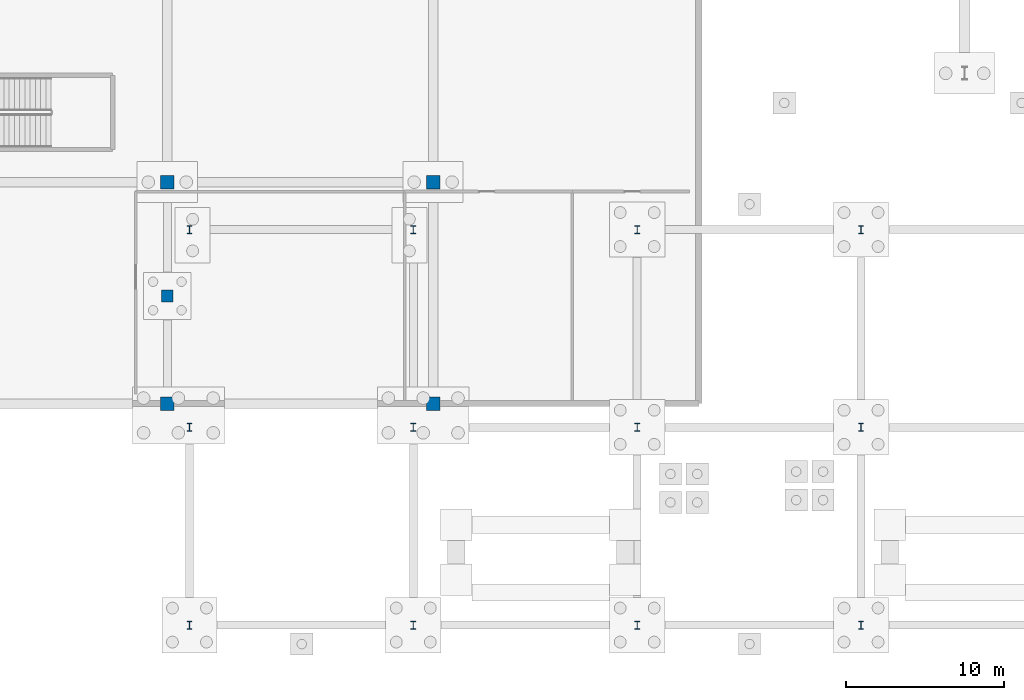
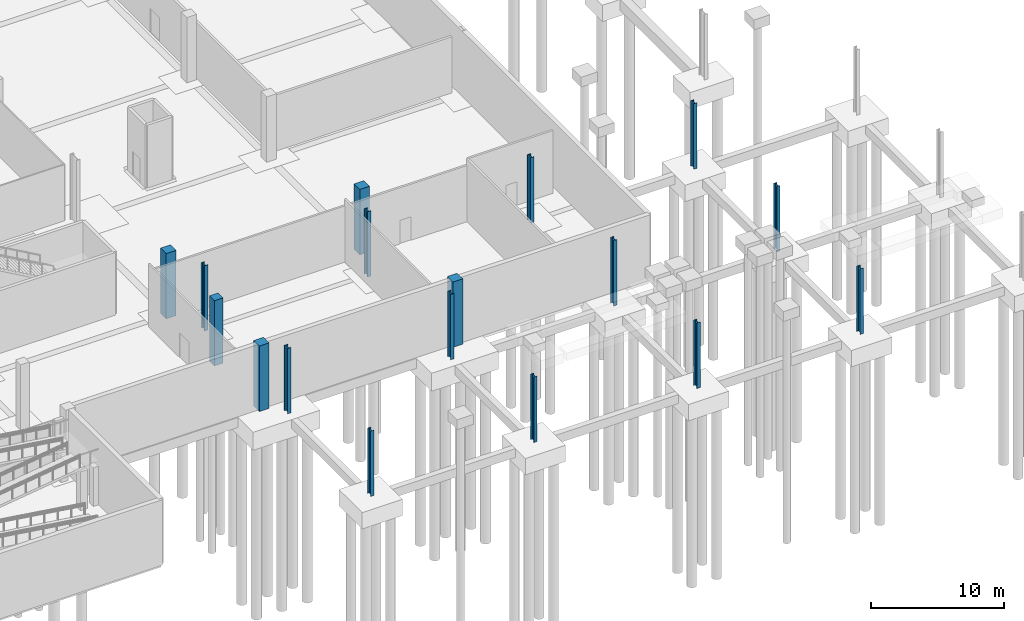
# One storey, part 15 of 46: 17 columns.
"""IFC4 building model written with IfcOpenShell, lengths in metres."""

import ifcopenshell
import ifcopenshell.guid

model = None  # the IFC model being written
_history = None  # IfcOwnerHistory: only IFC2X3 demands one
_inside = {}  # id of a spatial element -> (the spatial element, [elements in it])
_under = {}  # id of a project, library or spatial element -> (it, [spatial elements below it])
_declared = {}  # id of a project -> (the project, [libraries it declares])
_typed = {}  # id of a type object -> (the type object, [elements of that type])
_made_of = {}  # id of a material, layer set ... -> (it, [elements and type objects made of it])


def new_model(schema):
    """Start an empty IFC model of exactly this schema.

    Asked for "IFC4X3", IfcOpenShell would pick the latest addendum, in which some entities
    have other attributes; the version numbers below select the first issue.
    IFC2X3 requires an IfcOwnerHistory on every rooted entity: one is made here for all.
    """
    global model, _history
    if schema == "IFC4X3":
        model = ifcopenshell.file(schema_version=(4, 3, 0, 0))
    else:
        model = ifcopenshell.file(schema=schema)
    _inside.clear()
    _under.clear()
    _declared.clear()
    _typed.clear()
    _made_of.clear()
    _history = None
    if model.schema == "IFC2X3":
        org = make("IfcOrganization", Name="unknown")
        user = make(
            "IfcPersonAndOrganization",
            ThePerson=make("IfcPerson", FamilyName="unknown"),
            TheOrganization=org,
        )
        app = make(
            "IfcApplication",
            ApplicationDeveloper=org,
            Version="unknown",
            ApplicationFullName="unknown",
            ApplicationIdentifier="unknown",
        )
        _history = make(
            "IfcOwnerHistory",
            OwningUser=user,
            OwningApplication=app,
            ChangeAction="ADDED",
            CreationDate=0,
        )
    return model


def make(cls, **values):
    """One entity of the class cls with the attributes given. An attribute that is None is left unset."""
    return model.create_entity(
        cls, **{name: value for name, value in values.items() if value is not None}
    )


def rooted(cls, **values):
    """An entity with a GlobalId (a new one), such as an element, a storey or a relation."""
    return make(cls, GlobalId=ifcopenshell.guid.new(), OwnerHistory=_history, **values)


def si_unit(unit_type, name, prefix=None):
    """IfcSIUnit, for example si_unit("LENGTHUNIT", "METRE", prefix="MILLI")."""
    return make("IfcSIUnit", UnitType=unit_type, Prefix=prefix, Name=name)


def assignment(units):
    """IfcUnitAssignment: the units of a project."""
    return None if units is None else make("IfcUnitAssignment", Units=units)


def point(xyz):
    """IfcCartesianPoint."""
    return None if xyz is None else make("IfcCartesianPoint", Coordinates=xyz)


def direction(xyz):
    """IfcDirection."""
    return None if xyz is None else make("IfcDirection", DirectionRatios=xyz)


def frame(location, z_axis=None, x_axis=None):
    """IfcAxis2Placement3D, a coordinate frame: its origin and axes. An axis left out is left unset."""
    return make(
        "IfcAxis2Placement3D",
        Location=point(location),
        Axis=direction(z_axis),
        RefDirection=direction(x_axis),
    )


def frame_2d(location, x_axis=None):
    """IfcAxis2Placement2D, a coordinate frame in the plane: its origin and x axis."""
    return make(
        "IfcAxis2Placement2D", Location=point(location), RefDirection=direction(x_axis)
    )


def origin():
    """The frame at (0, 0, 0) with its axes left unset."""
    return frame((0.0, 0.0, 0.0))


def origin_2d():
    """The frame at (0, 0) in the plane with its x axis left unset."""
    return frame_2d((0.0, 0.0))


def place(relative_to, where):
    """IfcLocalPlacement: puts the frame where relative to a parent placement (None: the world)."""
    return make(
        "IfcLocalPlacement", PlacementRelTo=relative_to, RelativePlacement=where
    )


def context(
    kind, dimensions, precision=None, world=None, true_north=None, identifier=None
):
    """IfcGeometricRepresentationContext, for example the 3D "Model" context."""
    return make(
        "IfcGeometricRepresentationContext",
        ContextIdentifier=identifier,
        ContextType=kind,
        CoordinateSpaceDimension=dimensions,
        Precision=precision,
        WorldCoordinateSystem=world,
        TrueNorth=true_north,
    )


def subcontext(parent, identifier, kind, view, scale=None):
    """IfcGeometricRepresentationSubContext, for example "Body" below "Model"."""
    return make(
        "IfcGeometricRepresentationSubContext",
        ContextIdentifier=identifier,
        ContextType=kind,
        ParentContext=parent,
        TargetScale=scale,
        TargetView=view,
    )


def project(units=None, contexts=None):
    """IfcProject with its units and contexts."""
    return rooted(
        "IfcProject",
        Name="project",
        RepresentationContexts=contexts,
        UnitsInContext=assignment(units),
    )


def spatial(cls, under=None, at=None, **own):
    """A site, building, storey or space (cls), placed at a placement, below another one or the project."""
    s = rooted(cls, ObjectPlacement=at, **own)
    if under is not None:
        _under.setdefault(under.id(), (under, []))[1].append(s)
    return s


def profile(cls, at=None, kind="AREA", **sizes):
    """A parametric profile (cls). Its sizes go by their IFC names, for example OverallWidth=200.0."""
    return make(cls, ProfileType=kind, Position=at, **sizes)


def rectangle(**sizes):
    """IfcRectangleProfileDef."""
    return profile("IfcRectangleProfileDef", **sizes)


def i_section(**sizes):
    """IfcIShapeProfileDef."""
    return profile("IfcIShapeProfileDef", **sizes)


def extrude(swept, where, along, depth):
    """IfcExtrudedAreaSolid: the profile swept, set in the frame where, extruded along a direction by depth."""
    return make(
        "IfcExtrudedAreaSolid",
        SweptArea=swept,
        Position=where,
        ExtrudedDirection=direction(along),
        Depth=depth,
    )


def shape(context_of_items, identifier, shape_type, items):
    """IfcShapeRepresentation: the items that make up one representation, for example the "Body"."""
    return make(
        "IfcShapeRepresentation",
        ContextOfItems=context_of_items,
        RepresentationIdentifier=identifier,
        RepresentationType=shape_type,
        Items=items,
    )


def material(Name=None, Category=None):
    """IfcMaterial."""
    return make("IfcMaterial", Name=Name, Category=Category)


def material_profile(
    of_material, cross_section, Name=None, Category=None, Priority=None
):
    """IfcMaterialProfile: a cross section and its material."""
    return make(
        "IfcMaterialProfile",
        Name=Name,
        Material=of_material,
        Profile=cross_section,
        Priority=Priority,
        Category=Category,
    )


def profile_set(profiles, Name=None, composite=None):
    """IfcMaterialProfileSet."""
    return make(
        "IfcMaterialProfileSet",
        Name=Name,
        MaterialProfiles=profiles,
        CompositeProfile=composite,
    )


def made_of(thing, what):
    """Note that an element or type object is made of a material, layer set ...; save() writes the relation."""
    if what is not None:
        _made_of.setdefault(what.id(), (what, []))[1].append(thing)
    return thing


def type_object(cls, material=None, **own):
    """A type object (cls), such as IfcWallType, which elements share."""
    return made_of(rooted(cls, **own), material)


def element(
    cls,
    number,
    at=None,
    inside=None,
    cuts=None,
    type_object=None,
    material=None,
    context=None,
    identifier="Body",
    shape_type=None,
    held_by="IfcProductDefinitionShape",
    body=None,
    shapes=None,
    **own,
):
    """One element of the class cls, such as IfcWall. Its Tag is "e" and its number.

    at: its placement. inside: the storey or other place that contains it. cuts: it is an
    opening in that element (IfcRelVoidsElement). A single representation is given by context,
    identifier, shape_type and body (its items); several are given by shapes. held_by: the class
    of the entity that holds the representations. save() writes the other relations.
    """
    e = rooted(cls, Tag="e%d" % number, ObjectPlacement=at, **own)
    if body is not None:
        shapes = [shape(context, identifier, shape_type, body)]
    if shapes is not None:
        e.Representation = make(held_by, Representations=shapes)
    if inside is not None:
        _inside.setdefault(inside.id(), (inside, []))[1].append(e)
    if cuts is not None:
        rooted(
            "IfcRelVoidsElement", RelatingBuildingElement=cuts, RelatedOpeningElement=e
        )
    if type_object is not None:
        _typed.setdefault(type_object.id(), (type_object, []))[1].append(e)
    return made_of(e, material)


def aggregate(whole, parts):
    """IfcRelAggregates: a whole, such as a stair, and the parts it consists of."""
    return rooted("IfcRelAggregates", RelatingObject=whole, RelatedObjects=parts)


def save(model, path):
    """Write the relations noted so far, then the file.

    IfcRelAggregates (storeys below a building ...), IfcRelContainedInSpatialStructure (elements
    in a storey), IfcRelDefinesByType, IfcRelAssociatesMaterial and IfcRelDeclares: one each for
    every whole, place, type object, material and project.
    """
    for whole, parts in _under.values():
        aggregate(whole, parts)
    for where, things in _inside.values():
        rooted(
            "IfcRelContainedInSpatialStructure",
            RelatedElements=things,
            RelatingStructure=where,
        )
    for kind, things in _typed.values():
        rooted("IfcRelDefinesByType", RelatedObjects=things, RelatingType=kind)
    for what, things in _made_of.values():
        rooted("IfcRelAssociatesMaterial", RelatedObjects=things, RelatingMaterial=what)
    for by, libraries in _declared.values():
        rooted("IfcRelDeclares", RelatingContext=by, RelatedDefinitions=libraries)
    model.write(path)


model = new_model("IFC4")

# Units and contexts
model_context = context("Model", 3, precision=1e-05, world=origin(), true_north=direction((0.0, 1.0)))
body_context = subcontext(model_context, "Body", "Model", "MODEL_VIEW")
ifc_project = project(units=[si_unit("LENGTHUNIT", "METRE"), si_unit("AREAUNIT", "SQUARE_METRE"), si_unit("VOLUMEUNIT", "CUBIC_METRE"), si_unit("PLANEANGLEUNIT", "RADIAN"), si_unit("MASSUNIT", "GRAM", prefix="KILO")], contexts=[model_context])

# Site, building, storey
site_placement = place(None, origin())
site = spatial("IfcSite", under=ifc_project, at=site_placement, CompositionType="ELEMENT")
building_placement = place(site_placement, origin())
building = spatial("IfcBuilding", under=site, at=building_placement, Name="Kimbaza Rail Terminus", CompositionType="ELEMENT")
storey_placement = place(building_placement, frame((0.0, 0.0, -6.0)))
storey = spatial("IfcBuildingStorey", under=building, at=storey_placement, Name="B1", CompositionType="ELEMENT", Elevation=-6.0)

# Columns
ifc_material_1 = material(Name="Steel S355", Category="steel")
ifc_material_profile_1 = material_profile(ifc_material_1, i_section(OverallWidth=0.300048828125, OverallDepth=0.5, WebThickness=0.014404296875, FlangeThickness=0.028076171875, FilletRadius=0.027099609375, at=origin_2d()), Name="HEB 500")
ifc_profile_set_1 = profile_set([ifc_material_profile_1], Name="Steel S355")
column_type_1 = type_object("IfcColumnType", Name="STR-COL-HEB500", PredefinedType="COLUMN", material=ifc_profile_set_1)
for number, where, z_axis, x_axis, name in (
    (1, (157.39990234375, 13.0, 0.0), (0.0, 0.0, 1.0), (1.0, 0.0, 0.0), "Retail Pavilion Column B1 (0,0)"),
    (2, (157.39990234375, 25.5, 0.0), (0.0, 0.0, 1.0), (1.0, 0.0, 0.0), "Retail Pavilion Column B1 (0,1)"),
    (3, (157.39990234375, 38.0, 0.0), (0.0, 0.0, 1.0), (1.0, 0.0, 0.0), "Retail Pavilion Column B1 (0,2)"),
    (4, (171.550048828125, 13.0, 0.0), (0.0, 0.0, 1.0), (1.0, 0.0, 0.0), "Retail Pavilion Column B1 (1,0)"),
    (5, (171.550048828125, 25.5, 0.0), (0.0, 0.0, 1.0), (1.0, 0.0, 0.0), "Retail Pavilion Column B1 (1,1)"),
    (6, (171.550048828125, 38.0, 0.0), (0.0, 0.0, 1.0), (1.0, 0.0, 0.0), "Retail Pavilion Column B1 (1,2)"),
    (7, (185.699951171875, 13.0, 0.0), (0.0, 0.0, 1.0), (1.0, 0.0, 0.0), "Retail Pavilion Column B1 (2,0)"),
    (8, (185.699951171875, 25.5, 0.0), (0.0, 0.0, 1.0), (1.0, 0.0, 0.0), "Retail Pavilion Column B1 (2,1)"),
    (9, (185.699951171875, 38.0, 0.0), (0.0, 0.0, 1.0), (1.0, 0.0, 0.0), "Retail Pavilion Column B1 (2,2)"),
    (10, (199.85009765625, 13.0, 0.0), (0.0, 0.0, 1.0), (1.0, 0.0, 0.0), "Retail Pavilion Column B1 (3,0)"),
    (11, (199.85009765625, 25.5, 0.0), (0.0, 0.0, 1.0), (1.0, 0.0, 0.0), "Retail Pavilion Column B1 (3,1)"),
    (12, (199.85009765625, 38.0, 0.0), (0.0, 0.0, 1.0), (1.0, 0.0, 0.0), "Retail Pavilion Column B1 (3,2)"),
):
    element("IfcColumn", number, at=place(storey_placement, frame(where, z_axis=z_axis, x_axis=x_axis)), inside=storey, type_object=column_type_1, Name=name, PredefinedType="COLUMN", context=body_context, shape_type="SweptSolid", body=[
        extrude(i_section(OverallWidth=0.300048828125, OverallDepth=0.5, WebThickness=0.014404296875, FlangeThickness=0.028076171875, FilletRadius=0.027099609375, at=origin_2d()), origin(), (0.0, 0.0, 1.0), 6.0),
    ])
ifc_material_2 = material(Name="Concrete C40/50", Category="concrete")
ifc_material_profile_2 = material_profile(ifc_material_2, rectangle(XDim=0.75, YDim=0.75, at=origin_2d()), Name="RC 750x750")
ifc_profile_set_2 = profile_set([ifc_material_profile_2], Name="Concrete C40/50")
column_type_2 = type_object("IfcColumnType", Name="STR-COL-RC750", PredefinedType="COLUMN", material=ifc_profile_set_2)
column_placement = place(storey_placement, frame((156.0, 33.800048828125, 0.0), z_axis=(0.0, 0.0, 1.0), x_axis=(1.0, 0.0, 0.0)))
element("IfcColumn", 13, at=column_placement, inside=storey, type_object=column_type_2, Name="B1 Metro Column (6,col)", PredefinedType="COLUMN", context=body_context, shape_type="SweptSolid", body=[
    extrude(rectangle(XDim=0.75, YDim=0.75, at=origin_2d()), origin(), (0.0, 0.0, 1.0), 6.0),
])
ifc_material_3 = material(Name="Concrete C40/50", Category="concrete")
ifc_material_profile_3 = material_profile(ifc_material_3, rectangle(XDim=0.85009765625, YDim=0.85009765625, at=origin_2d()), Name="RC 850x850")
ifc_profile_set_3 = profile_set([ifc_material_profile_3], Name="Concrete C40/50")
column_type_3 = type_object("IfcColumnType", Name="STR-COL-RC850", PredefinedType="COLUMN", material=ifc_profile_set_3)
for number, where, z_axis, x_axis, name in (
    (14, (156.0, 27.0, 0.0), (0.0, 0.0, 1.0), (1.0, 0.0, 0.0), "Metro Concourse B1 Column (6,0)"),
    (15, (156.0, 41.0, 0.0), (0.0, 0.0, 1.0), (1.0, 0.0, 0.0), "Metro Concourse B1 Column (6,1)"),
    (16, (172.800048828125, 27.0, 0.0), (0.0, 0.0, 1.0), (1.0, 0.0, 0.0), "Metro Concourse B1 Column (7,0)"),
    (17, (172.800048828125, 41.0, 0.0), (0.0, 0.0, 1.0), (1.0, 0.0, 0.0), "Metro Concourse B1 Column (7,1)"),
):
    element("IfcColumn", number, at=place(storey_placement, frame(where, z_axis=z_axis, x_axis=x_axis)), inside=storey, type_object=column_type_3, Name=name, PredefinedType="COLUMN", context=body_context, shape_type="SweptSolid", body=[
        extrude(rectangle(XDim=0.85009765625, YDim=0.85009765625, at=origin_2d()), origin(), (0.0, 0.0, 1.0), 6.0),
    ])

save(model, "model.ifc")
